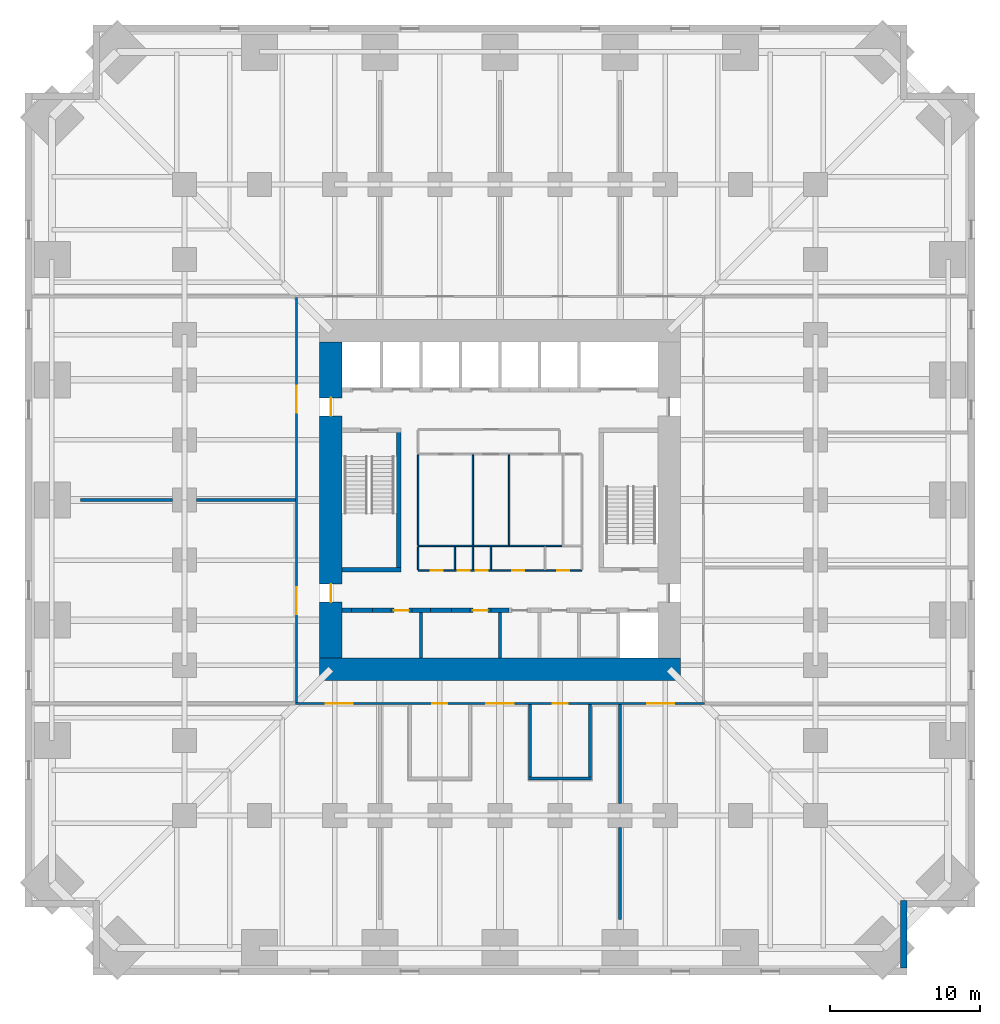
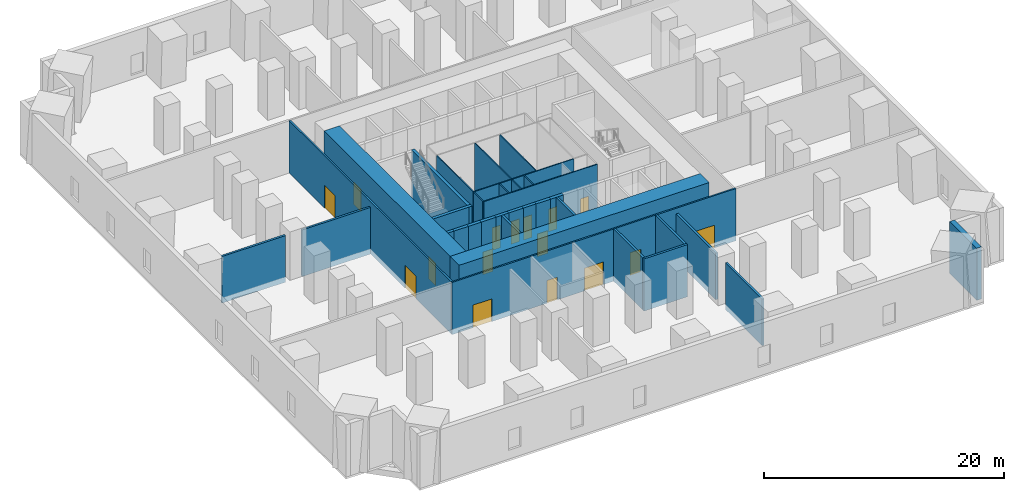
# One storey, part 4 of 8: 34 walls, 16 doors, 16 openings.
"""IFC4 building model written with IfcOpenShell, lengths in metres."""

from ifc_helpers import new_model, si_unit, direction, frame, frame_2d, origin, place, context, subcontext, project, spatial, rectangle, extrude, material, layer, layer_set, type_object, element, fill, save


model = new_model("IFC4")

# Units and contexts
model_context = context("Model", 3, precision=1e-05, world=origin(), true_north=direction((0.0, 1.0)))
body_context = subcontext(model_context, "Body", "Model", "MODEL_VIEW")
ifc_project = project(units=[si_unit("LENGTHUNIT", "METRE"), si_unit("AREAUNIT", "SQUARE_METRE"), si_unit("VOLUMEUNIT", "CUBIC_METRE"), si_unit("PLANEANGLEUNIT", "RADIAN"), si_unit("MASSUNIT", "GRAM", prefix="KILO")], contexts=[model_context])

# Site, building, storey
site_placement = place(None, origin())
site = spatial("IfcSite", under=ifc_project, at=site_placement, CompositionType="ELEMENT")
building_placement = place(site_placement, origin())
building = spatial("IfcBuilding", under=site, at=building_placement, Name="Peilmerk Tower", CompositionType="ELEMENT")
storey_placement = place(building_placement, frame((0.0, 0.0, 26.5)))
storey = spatial("IfcBuildingStorey", under=building, at=storey_placement, Name="L05", CompositionType="ELEMENT", Elevation=26.5)

# Wall
ifc_material_1 = material(Name="Precast concrete C45/55, board-marked finish", Category="concrete")
ifc_layer_1 = layer(ifc_material_1, 0.449951171875)
ifc_layer_set_1 = layer_set([ifc_layer_1], Name="Precast concrete C45/55, board-marked finish")
wall_type_1 = type_object("IfcWallType", Name="EW1 450 precast concrete facade wall, board-marked", PredefinedType="SOLIDWALL", material=ifc_layer_set_1)
wall_1_placement = place(storey_placement, frame((26.875, -26.64990234375, 0.0), z_axis=(0.0, 0.0, 1.0), x_axis=(0.0, -1.0, 0.0)))
element("IfcWall", 1, at=wall_1_placement, inside=storey, type_object=wall_type_1, Name="Facade wall SEA L05", PredefinedType="SOLIDWALL", context=body_context, shape_type="SweptSolid", body=[
    extrude(rectangle(XDim=4.5, YDim=0.449951171875, at=frame_2d((2.25, 0.0))), origin(), (0.0, 0.0, 1.0), 5.300048828125),
])

# Wall, openings, doors
ifc_material_2 = material(Name="Calcium silicate block", Category="masonry")
ifc_layer_2 = layer(ifc_material_2, 0.14990234375)
ifc_layer_set_2 = layer_set([ifc_layer_2], Name="Calcium silicate block")
wall_type_2 = type_object("IfcWallType", Name="IW1 150 corridor partition, EI 60", PredefinedType="PARTITIONING", material=ifc_layer_set_2)
wall_2_placement = place(storey_placement, frame((13.625, -13.550048828125, 0.0), z_axis=(0.0, 0.0, 1.0), x_axis=(-1.0, 0.0, 0.0)))
wall_2 = element("IfcWall", 2, at=wall_2_placement, inside=storey, type_object=wall_type_2, Name="Corridor wall S L05", PredefinedType="PARTITIONING", context=body_context, shape_type="SweptSolid", body=[
    extrude(rectangle(XDim=27.25, YDim=0.14990234375, at=frame_2d((13.625, 0.0))), origin(), (0.0, 0.0, 1.0), 5.300048828125),
])
opening_1_placement = place(wall_2_placement, frame((23.425048828125, 0.0, 0.0)))
opening_1 = element("IfcOpeningElement", 3, at=opening_1_placement, cuts=wall_2, Name="Opening D2", PredefinedType="OPENING", context=body_context, shape_type="SweptSolid", body=[
    extrude(rectangle(XDim=1.800048828125, YDim=2.300048828125, at=frame_2d((0.89990234375, 1.14990234375))), frame((0.0, 0.0849609375, 0.0), z_axis=(0.0, -1.0, 0.0), x_axis=(1.0, 0.0, 0.0)), (0.0, 0.0, 1.0), 0.169921875),
])
opening_2_placement = place(wall_2_placement, frame((12.72509765625, 0.0, 0.0)))
opening_2 = element("IfcOpeningElement", 4, at=opening_2_placement, cuts=wall_2, Name="Opening D2", PredefinedType="OPENING", context=body_context, shape_type="SweptSolid", body=[
    extrude(rectangle(XDim=1.800048828125, YDim=2.300048828125, at=frame_2d((0.89990234375, 1.14990234375))), frame((0.0, 0.0849609375, 0.0), z_axis=(0.0, -1.0, 0.0), x_axis=(1.0, 0.0, 0.0)), (0.0, 0.0, 1.0), 0.169921875),
])
opening_3_placement = place(wall_2_placement, frame((2.02490234375, 0.0, 0.0)))
opening_3 = element("IfcOpeningElement", 5, at=opening_3_placement, cuts=wall_2, Name="Opening D2", PredefinedType="OPENING", context=body_context, shape_type="SweptSolid", body=[
    extrude(rectangle(XDim=1.800048828125, YDim=2.300048828125, at=frame_2d((0.89990234375, 1.14990234375))), frame((0.0, 0.0849609375, 0.0), z_axis=(0.0, -1.0, 0.0), x_axis=(1.0, 0.0, 0.0)), (0.0, 0.0, 1.0), 0.169921875),
])
opening_4_placement = place(wall_2_placement, frame((17.125, 0.0, 0.0)))
opening_4 = element("IfcOpeningElement", 6, at=opening_4_placement, cuts=wall_2, Name="Opening D1", PredefinedType="OPENING", context=body_context, shape_type="SweptSolid", body=[
    extrude(rectangle(XDim=1.0, YDim=2.300048828125, at=frame_2d((0.5, 1.14990234375))), frame((0.0, 0.0849609375, 0.0), z_axis=(0.0, -1.0, 0.0), x_axis=(1.0, 0.0, 0.0)), (0.0, 0.0, 1.0), 0.169921875),
])
opening_5_placement = place(wall_2_placement, frame((9.125, 0.0, 0.0)))
opening_5 = element("IfcOpeningElement", 7, at=opening_5_placement, cuts=wall_2, Name="Opening D1", PredefinedType="OPENING", context=body_context, shape_type="SweptSolid", body=[
    extrude(rectangle(XDim=1.0, YDim=2.300048828125, at=frame_2d((0.5, 1.14990234375))), frame((0.0, 0.0849609375, 0.0), z_axis=(0.0, -1.0, 0.0), x_axis=(1.0, 0.0, 0.0)), (0.0, 0.0, 1.0), 0.169921875),
])
ifc_material_3 = material(Name="Timber door in steel frame", Category="steel")
door_type_1 = type_object("IfcDoorType", Name="D1 1000x2300 room door, EI2 30", OperationType="SINGLE_SWING_LEFT", PredefinedType="DOOR", material=ifc_material_3)
door_1_placement = place(opening_4_placement, origin())
door_1 = element("IfcDoor", 8, at=door_1_placement, inside=storey, type_object=door_type_1, Name="Door Operations office L05", OperationType="SINGLE_SWING_LEFT", OverallHeight=2.300048828125, OverallWidth=1.0, PredefinedType="DOOR", context=body_context, shape_type="SweptSolid", body=[
    extrude(rectangle(XDim=1.0, YDim=2.300048828125, at=frame_2d((0.5, 1.14990234375))), frame((0.0, 0.02490234375, 0.0), z_axis=(0.0, -1.0, 0.0), x_axis=(1.0, 0.0, 0.0)), (0.0, 0.0, 1.0), 0.050048828125),
])
fill(opening_4, door_1)
door_2_placement = place(opening_5_placement, origin())
door_2 = element("IfcDoor", 9, at=door_2_placement, inside=storey, type_object=door_type_1, Name="Door Security control room L05", OperationType="SINGLE_SWING_LEFT", OverallHeight=2.300048828125, OverallWidth=1.0, PredefinedType="DOOR", context=body_context, shape_type="SweptSolid", body=[
    extrude(rectangle(XDim=1.0, YDim=2.300048828125, at=frame_2d((0.5, 1.14990234375))), frame((0.0, 0.02490234375, 0.0), z_axis=(0.0, -1.0, 0.0), x_axis=(1.0, 0.0, 0.0)), (0.0, 0.0, 1.0), 0.050048828125),
])
fill(opening_5, door_2)
ifc_material_4 = material(Name="Steel door in steel frame", Category="steel")
door_type_2 = type_object("IfcDoorType", Name="D2 1800x2300 double door, EI2 60", OperationType="DOUBLE_DOOR_DOUBLE_SWING", PredefinedType="DOOR", material=ifc_material_4)
door_3_placement = place(opening_1_placement, origin())
door_3 = element("IfcDoor", 10, at=door_3_placement, inside=storey, type_object=door_type_2, Name="Door Computer room B1 L05", OperationType="DOUBLE_DOOR_DOUBLE_SWING", OverallHeight=2.300048828125, OverallWidth=1.800048828125, PredefinedType="DOOR", context=body_context, shape_type="SweptSolid", body=[
    extrude(rectangle(XDim=1.800048828125, YDim=2.300048828125, at=frame_2d((0.89990234375, 1.14990234375))), frame((0.0, 0.02490234375, 0.0), z_axis=(0.0, -1.0, 0.0), x_axis=(1.0, 0.0, 0.0)), (0.0, 0.0, 1.0), 0.050048828125),
])
fill(opening_1, door_3)
door_4_placement = place(opening_2_placement, origin())
door_4 = element("IfcDoor", 11, at=door_4_placement, inside=storey, type_object=door_type_2, Name="Door Network room L05", OperationType="DOUBLE_DOOR_DOUBLE_SWING", OverallHeight=2.300048828125, OverallWidth=1.800048828125, PredefinedType="DOOR", context=body_context, shape_type="SweptSolid", body=[
    extrude(rectangle(XDim=1.800048828125, YDim=2.300048828125, at=frame_2d((0.89990234375, 1.14990234375))), frame((0.0, 0.02490234375, 0.0), z_axis=(0.0, -1.0, 0.0), x_axis=(1.0, 0.0, 0.0)), (0.0, 0.0, 1.0), 0.050048828125),
])
fill(opening_2, door_4)
door_5_placement = place(opening_3_placement, origin())
door_5 = element("IfcDoor", 12, at=door_5_placement, inside=storey, type_object=door_type_2, Name="Door Computer room B2 L05", OperationType="DOUBLE_DOOR_DOUBLE_SWING", OverallHeight=2.300048828125, OverallWidth=1.800048828125, PredefinedType="DOOR", context=body_context, shape_type="SweptSolid", body=[
    extrude(rectangle(XDim=1.800048828125, YDim=2.300048828125, at=frame_2d((0.89990234375, 1.14990234375))), frame((0.0, 0.02490234375, 0.0), z_axis=(0.0, -1.0, 0.0), x_axis=(1.0, 0.0, 0.0)), (0.0, 0.0, 1.0), 0.050048828125),
])
fill(opening_3, door_5)

wall_3_placement = place(storey_placement, frame((-13.550048828125, 13.47509765625, 0.0), z_axis=(0.0, 0.0, 1.0), x_axis=(0.0, -1.0, 0.0)))
wall_3 = element("IfcWall", 13, at=wall_3_placement, inside=storey, type_object=wall_type_2, Name="Corridor wall W L05", PredefinedType="PARTITIONING", context=body_context, shape_type="SweptSolid", body=[
    extrude(rectangle(XDim=26.9501953125, YDim=0.14990234375, at=frame_2d((13.47509765625, 0.0))), origin(), (0.0, 0.0, 1.0), 5.300048828125),
])
opening_6_placement = place(wall_3_placement, frame((19.27490234375, 0.0, 0.0)))
opening_6 = element("IfcOpeningElement", 14, at=opening_6_placement, cuts=wall_3, Name="Opening D2", PredefinedType="OPENING", context=body_context, shape_type="SweptSolid", body=[
    extrude(rectangle(XDim=1.800048828125, YDim=2.300048828125, at=frame_2d((0.89990234375, 1.14990234375))), frame((0.0, 0.0849609375, 0.0), z_axis=(0.0, -1.0, 0.0), x_axis=(1.0, 0.0, 0.0)), (0.0, 0.0, 1.0), 0.169921875),
])
opening_7_placement = place(wall_3_placement, frame((5.875, 0.0, 0.0)))
opening_7 = element("IfcOpeningElement", 15, at=opening_7_placement, cuts=wall_3, Name="Opening D2", PredefinedType="OPENING", context=body_context, shape_type="SweptSolid", body=[
    extrude(rectangle(XDim=1.800048828125, YDim=2.300048828125, at=frame_2d((0.89990234375, 1.14990234375))), frame((0.0, 0.0849609375, 0.0), z_axis=(0.0, -1.0, 0.0), x_axis=(1.0, 0.0, 0.0)), (0.0, 0.0, 1.0), 0.169921875),
])
door_6_placement = place(opening_6_placement, frame((1.800048828125, 0.0, 0.0), z_axis=(0.0, 0.0, 1.0), x_axis=(-1.0, 0.0, 0.0)))
door_6 = element("IfcDoor", 16, at=door_6_placement, inside=storey, type_object=door_type_2, Name="Door UPS room L05", OperationType="DOUBLE_DOOR_DOUBLE_SWING", OverallHeight=2.300048828125, OverallWidth=1.800048828125, PredefinedType="DOOR", context=body_context, shape_type="SweptSolid", body=[
    extrude(rectangle(XDim=1.800048828125, YDim=2.300048828125, at=frame_2d((0.89990234375, 1.14990234375))), frame((0.0, 0.02490234375, 0.0), z_axis=(0.0, -1.0, 0.0), x_axis=(1.0, 0.0, 0.0)), (0.0, 0.0, 1.0), 0.050048828125),
])
fill(opening_6, door_6)
door_7_placement = place(opening_7_placement, frame((1.800048828125, 0.0, 0.0), z_axis=(0.0, 0.0, 1.0), x_axis=(-1.0, 0.0, 0.0)))
door_7 = element("IfcDoor", 17, at=door_7_placement, inside=storey, type_object=door_type_2, Name="Door Battery room L05", OperationType="DOUBLE_DOOR_DOUBLE_SWING", OverallHeight=2.300048828125, OverallWidth=1.800048828125, PredefinedType="DOOR", context=body_context, shape_type="SweptSolid", body=[
    extrude(rectangle(XDim=1.800048828125, YDim=2.300048828125, at=frame_2d((0.89990234375, 1.14990234375))), frame((0.0, 0.02490234375, 0.0), z_axis=(0.0, -1.0, 0.0), x_axis=(1.0, 0.0, 0.0)), (0.0, 0.0, 1.0), 0.050048828125),
])
fill(opening_7, door_7)

# Walls
ifc_layer_3 = layer(ifc_material_2, 0.199951171875)
ifc_layer_set_3 = layer_set([ifc_layer_3], Name="Calcium silicate block")
wall_type_3 = type_object("IfcWallType", Name="IW2 200 room separating wall, EI 120", PredefinedType="PARTITIONING", material=ifc_layer_set_3)
wall_4_placement = place(storey_placement, frame((8.0, -13.625, 0.0), z_axis=(0.0, 0.0, 1.0), x_axis=(0.0, -1.0, 0.0)))
element("IfcWall", 18, at=wall_4_placement, inside=storey, type_object=wall_type_3, Name="Room separating wall S2 L05", PredefinedType="PARTITIONING", context=body_context, shape_type="SweptSolid", body=[
    extrude(rectangle(XDim=6.574951171875, YDim=0.199951171875, at=frame_2d((3.28759765625, 0.0))), origin(), (0.0, 0.0, 1.0), 4.73095703125),
])
wall_5_placement = place(storey_placement, frame((8.0, -21.800048828125, 0.0), z_axis=(0.0, 0.0, 1.0), x_axis=(0.0, -1.0, 0.0)))
element("IfcWall", 19, at=wall_5_placement, inside=storey, type_object=wall_type_3, Name="Room separating wall S2b L05", PredefinedType="PARTITIONING", context=body_context, shape_type="SweptSolid", body=[
    extrude(rectangle(XDim=6.109375, YDim=0.199951171875, at=frame_2d((3.0546875, 0.0))), origin(), (0.0, 0.0, 1.0), 4.73095703125),
])
wall_6_placement = place(storey_placement, frame((-13.625, 0.0, 0.0), z_axis=(0.0, 0.0, 1.0), x_axis=(-1.0, 0.0, 0.0)))
element("IfcWall", 20, at=wall_6_placement, inside=storey, type_object=wall_type_3, Name="Room separating wall W1 L05", PredefinedType="PARTITIONING", context=body_context, shape_type="SweptSolid", body=[
    extrude(rectangle(XDim=6.574951171875, YDim=0.199951171875, at=frame_2d((3.28759765625, 0.0))), origin(), (0.0, 0.0, 1.0), 4.73095703125),
])
wall_7_placement = place(storey_placement, frame((-21.800048828125, 0.0, 0.0), z_axis=(0.0, 0.0, 1.0), x_axis=(-1.0, 0.0, 0.0)))
element("IfcWall", 21, at=wall_7_placement, inside=storey, type_object=wall_type_3, Name="Room separating wall W1b L05", PredefinedType="PARTITIONING", context=body_context, shape_type="SweptSolid", body=[
    extrude(rectangle(XDim=6.109375, YDim=0.199951171875, at=frame_2d((3.0546875, 0.0))), origin(), (0.0, 0.0, 1.0), 4.73095703125),
])
wall_8_placement = place(storey_placement, frame((1.89990234375, -18.550048828125, 0.0), z_axis=(0.0, 0.0, 1.0), x_axis=(1.0, 0.0, 0.0)))
element("IfcWall", 22, at=wall_8_placement, inside=storey, type_object=wall_type_3, Name="Room separating wall Security control room L05", PredefinedType="PARTITIONING", context=body_context, shape_type="SweptSolid", body=[
    extrude(rectangle(XDim=4.2001953125, YDim=0.199951171875, at=frame_2d((2.10009765625, 0.0))), origin(), (0.0, 0.0, 1.0), 5.300048828125),
])
for number, where, z_axis, x_axis, name in (
    (23, (2.0, -13.625, 0.0), (0.0, 0.0, 1.0), (0.0, -1.0, 0.0), "Room separating wall Security control room L05"),
    (24, (6.0, -13.625, 0.0), (0.0, 0.0, 1.0), (0.0, -1.0, 0.0), "Room separating wall Security control room L05"),
):
    element("IfcWall", number, at=place(storey_placement, frame(where, z_axis=z_axis, x_axis=x_axis)), inside=storey, type_object=wall_type_3, Name=name, PredefinedType="PARTITIONING", context=body_context, shape_type="SweptSolid", body=[
        extrude(rectangle(XDim=4.824951171875, YDim=0.199951171875, at=frame_2d((2.41259765625, 0.0))), origin(), (0.0, 0.0, 1.0), 5.300048828125),
    ])
ifc_material_5 = material(Name="Concrete C35/45", Category="concrete")
ifc_layer_4 = layer(ifc_material_5, 0.300048828125)
ifc_layer_set_4 = layer_set([ifc_layer_4], Name="Concrete C35/45")
wall_type_4 = type_object("IfcWallType", Name="IW3 300 concrete stair enclosure wall, EI 120", PredefinedType="SOLIDWALL", material=ifc_layer_set_4)
wall_9_placement = place(storey_placement, frame((-6.75, -4.800048828125, 0.0), z_axis=(0.0, 0.0, 1.0), x_axis=(0.0, 1.0, 0.0)))
element("IfcWall", 25, at=wall_9_placement, inside=storey, type_object=wall_type_4, Name="Stair 1 enclosure L05", PredefinedType="SOLIDWALL", context=body_context, shape_type="SweptSolid", body=[
    extrude(rectangle(XDim=9.60009765625, YDim=0.300048828125, at=frame_2d((4.800048828125, 0.0))), origin(), (0.0, 0.0, 1.0), 5.25),
])
wall_10_placement = place(storey_placement, frame((-6.60009765625, -4.64990234375, 0.0), z_axis=(0.0, 0.0, 1.0), x_axis=(-1.0, 0.0, 0.0)))
element("IfcWall", 26, at=wall_10_placement, inside=storey, type_object=wall_type_4, Name="Stair 1 enclosure L05", PredefinedType="SOLIDWALL", context=body_context, shape_type="SweptSolid", body=[
    extrude(rectangle(XDim=3.89990234375, YDim=0.300048828125, at=frame_2d((1.949951171875, 0.0))), origin(), (0.0, 0.0, 1.0), 5.25),
])
ifc_material_6 = material(Name="Plasterboard on steel studs", Category="steel")
ifc_layer_5 = layer(ifc_material_6, 0.10009765625)
ifc_layer_set_5 = layer_set([ifc_layer_5], Name="Plasterboard on steel studs")
wall_type_5 = type_object("IfcWallType", Name="IW4 100 WC partition", PredefinedType="PARTITIONING", material=ifc_layer_set_5)
wall_11_placement = place(storey_placement, frame((4.14990234375, -3.050048828125, 0.0), z_axis=(0.0, 0.0, 1.0), x_axis=(-1.0, 0.0, 0.0)))
element("IfcWall", 27, at=wall_11_placement, inside=storey, type_object=wall_type_5, Name="WC wall L05", PredefinedType="PARTITIONING", context=body_context, shape_type="SweptSolid", body=[
    extrude(rectangle(XDim=9.599853515625, YDim=0.10009765625, at=frame_2d((4.7998046875, 0.0))), origin(), (0.0, 0.0, 1.0), 5.25),
])
for number, where, z_axis, x_axis, name in (
    (28, (-5.449951171875, -3.0, 0.0), (0.0, 0.0, 1.0), (0.0, 1.0, 0.0), "WC wall L05"),
    (29, (-1.800048828125, -3.0, 0.0), (0.0, 0.0, 1.0), (0.0, 1.0, 0.0), "WC wall L05"),
    (30, (0.60009765625, -3.0, 0.0), (0.0, 0.0, 1.0), (0.0, 1.0, 0.0), "WC wall L05"),
):
    element("IfcWall", number, at=place(storey_placement, frame(where, z_axis=z_axis, x_axis=x_axis)), inside=storey, type_object=wall_type_5, Name=name, PredefinedType="PARTITIONING", context=body_context, shape_type="SweptSolid", body=[
        extrude(rectangle(XDim=6.0, YDim=0.10009765625, at=frame_2d((3.0, 0.0))), origin(), (0.0, 0.0, 1.0), 5.25),
    ])

# Wall, openings, doors
ifc_material_7 = material(Name="Calcium silicate board on steel studs", Category="steel")
ifc_layer_6 = layer(ifc_material_7, 0.10009765625)
ifc_layer_set_6 = layer_set([ifc_layer_6], Name="Calcium silicate board on steel studs")
wall_type_6 = type_object("IfcWallType", Name="IW5 100 riser enclosure wall, EI 60", PredefinedType="PARTITIONING", material=ifc_layer_set_6)
wall_12_placement = place(storey_placement, frame((5.449951171875, -4.699951171875, 0.0), z_axis=(0.0, 0.0, 1.0), x_axis=(-1.0, 0.0, 0.0)))
wall_12 = element("IfcWall", 31, at=wall_12_placement, inside=storey, type_object=wall_type_6, Name="Riser wall L05", PredefinedType="PARTITIONING", context=body_context, shape_type="SweptSolid", body=[
    extrude(rectangle(XDim=10.89990234375, YDim=0.10009765625, at=frame_2d((5.449951171875, 0.0))), origin(), (0.0, 0.0, 1.0), 5.25),
])
opening_8_placement = place(wall_12_placement, frame((9.27490234375, 0.0, 0.0)))
opening_8 = element("IfcOpeningElement", 32, at=opening_8_placement, cuts=wall_12, Name="Opening D7", PredefinedType="OPENING", context=body_context, shape_type="SweptSolid", body=[
    extrude(rectangle(XDim=0.800048828125, YDim=2.300048828125, at=frame_2d((0.39990234375, 1.14990234375))), frame((0.0, 0.06005859375, 0.0), z_axis=(0.0, -1.0, 0.0), x_axis=(1.0, 0.0, 0.0)), (0.0, 0.0, 1.0), 0.1201171875),
])
opening_9_placement = place(wall_12_placement, frame((7.449951171875, 0.0, 0.0)))
opening_9 = element("IfcOpeningElement", 33, at=opening_9_placement, cuts=wall_12, Name="Opening D7", PredefinedType="OPENING", context=body_context, shape_type="SweptSolid", body=[
    extrude(rectangle(XDim=0.800048828125, YDim=2.300048828125, at=frame_2d((0.39990234375, 1.14990234375))), frame((0.0, 0.06005859375, 0.0), z_axis=(0.0, -1.0, 0.0), x_axis=(1.0, 0.0, 0.0)), (0.0, 0.0, 1.0), 0.1201171875),
])
opening_10_placement = place(wall_12_placement, frame((6.25, 0.0, 0.0)))
opening_10 = element("IfcOpeningElement", 34, at=opening_10_placement, cuts=wall_12, Name="Opening D7", PredefinedType="OPENING", context=body_context, shape_type="SweptSolid", body=[
    extrude(rectangle(XDim=0.800048828125, YDim=2.300048828125, at=frame_2d((0.39990234375, 1.14990234375))), frame((0.0, 0.06005859375, 0.0), z_axis=(0.0, -1.0, 0.0), x_axis=(1.0, 0.0, 0.0)), (0.0, 0.0, 1.0), 0.1201171875),
])
opening_11_placement = place(wall_12_placement, frame((3.85009765625, 0.0, 0.0)))
opening_11 = element("IfcOpeningElement", 35, at=opening_11_placement, cuts=wall_12, Name="Opening D7", PredefinedType="OPENING", context=body_context, shape_type="SweptSolid", body=[
    extrude(rectangle(XDim=0.800048828125, YDim=2.300048828125, at=frame_2d((0.39990234375, 1.14990234375))), frame((0.0, 0.06005859375, 0.0), z_axis=(0.0, -1.0, 0.0), x_axis=(1.0, 0.0, 0.0)), (0.0, 0.0, 1.0), 0.1201171875),
])
opening_12_placement = place(wall_12_placement, frame((0.824951171875, 0.0, 0.0)))
opening_12 = element("IfcOpeningElement", 36, at=opening_12_placement, cuts=wall_12, Name="Opening D7", PredefinedType="OPENING", context=body_context, shape_type="SweptSolid", body=[
    extrude(rectangle(XDim=0.800048828125, YDim=2.300048828125, at=frame_2d((0.39990234375, 1.14990234375))), frame((0.0, 0.06005859375, 0.0), z_axis=(0.0, -1.0, 0.0), x_axis=(1.0, 0.0, 0.0)), (0.0, 0.0, 1.0), 0.1201171875),
])
door_type_3 = type_object("IfcDoorType", Name="D7 800x2300 riser access door, EI2 60", OperationType="SINGLE_SWING_RIGHT", PredefinedType="DOOR", material=ifc_material_4)
door_8_placement = place(opening_8_placement, frame((0.800048828125, 0.0, 0.0), z_axis=(0.0, 0.0, 1.0), x_axis=(-1.0, 0.0, 0.0)))
door_8 = element("IfcDoor", 37, at=door_8_placement, inside=storey, type_object=door_type_3, Name="Cleaner's cupboard door L05", OperationType="SINGLE_SWING_RIGHT", OverallHeight=2.300048828125, OverallWidth=0.800048828125, PredefinedType="DOOR", context=body_context, shape_type="SweptSolid", body=[
    extrude(rectangle(XDim=0.800048828125, YDim=2.300048828125, at=frame_2d((0.39990234375, 1.14990234375))), frame((0.0, 0.02490234375, 0.0), z_axis=(0.0, -1.0, 0.0), x_axis=(1.0, 0.0, 0.0)), (0.0, 0.0, 1.0), 0.050048828125),
])
fill(opening_8, door_8)
door_9_placement = place(opening_9_placement, frame((0.800048828125, 0.0, 0.0), z_axis=(0.0, 0.0, 1.0), x_axis=(-1.0, 0.0, 0.0)))
door_9 = element("IfcDoor", 38, at=door_9_placement, inside=storey, type_object=door_type_3, Name="Electrical riser door L05", OperationType="SINGLE_SWING_RIGHT", OverallHeight=2.300048828125, OverallWidth=0.800048828125, PredefinedType="DOOR", context=body_context, shape_type="SweptSolid", body=[
    extrude(rectangle(XDim=0.800048828125, YDim=2.300048828125, at=frame_2d((0.39990234375, 1.14990234375))), frame((0.0, 0.02490234375, 0.0), z_axis=(0.0, -1.0, 0.0), x_axis=(1.0, 0.0, 0.0)), (0.0, 0.0, 1.0), 0.050048828125),
])
fill(opening_9, door_9)
door_10_placement = place(opening_10_placement, frame((0.800048828125, 0.0, 0.0), z_axis=(0.0, 0.0, 1.0), x_axis=(-1.0, 0.0, 0.0)))
door_10 = element("IfcDoor", 39, at=door_10_placement, inside=storey, type_object=door_type_3, Name="Data riser door L05", OperationType="SINGLE_SWING_RIGHT", OverallHeight=2.300048828125, OverallWidth=0.800048828125, PredefinedType="DOOR", context=body_context, shape_type="SweptSolid", body=[
    extrude(rectangle(XDim=0.800048828125, YDim=2.300048828125, at=frame_2d((0.39990234375, 1.14990234375))), frame((0.0, 0.02490234375, 0.0), z_axis=(0.0, -1.0, 0.0), x_axis=(1.0, 0.0, 0.0)), (0.0, 0.0, 1.0), 0.050048828125),
])
fill(opening_10, door_10)
door_11_placement = place(opening_11_placement, frame((0.800048828125, 0.0, 0.0), z_axis=(0.0, 0.0, 1.0), x_axis=(-1.0, 0.0, 0.0)))
door_11 = element("IfcDoor", 40, at=door_11_placement, inside=storey, type_object=door_type_3, Name="Comms room door L05", OperationType="SINGLE_SWING_RIGHT", OverallHeight=2.300048828125, OverallWidth=0.800048828125, PredefinedType="DOOR", context=body_context, shape_type="SweptSolid", body=[
    extrude(rectangle(XDim=0.800048828125, YDim=2.300048828125, at=frame_2d((0.39990234375, 1.14990234375))), frame((0.0, 0.02490234375, 0.0), z_axis=(0.0, -1.0, 0.0), x_axis=(1.0, 0.0, 0.0)), (0.0, 0.0, 1.0), 0.050048828125),
])
fill(opening_11, door_11)
door_12_placement = place(opening_12_placement, frame((0.800048828125, 0.0, 0.0), z_axis=(0.0, 0.0, 1.0), x_axis=(-1.0, 0.0, 0.0)))
door_12 = element("IfcDoor", 41, at=door_12_placement, inside=storey, type_object=door_type_3, Name="Water meter room door L05", OperationType="SINGLE_SWING_RIGHT", OverallHeight=2.300048828125, OverallWidth=0.800048828125, PredefinedType="DOOR", context=body_context, shape_type="SweptSolid", body=[
    extrude(rectangle(XDim=0.800048828125, YDim=2.300048828125, at=frame_2d((0.39990234375, 1.14990234375))), frame((0.0, 0.02490234375, 0.0), z_axis=(0.0, -1.0, 0.0), x_axis=(1.0, 0.0, 0.0)), (0.0, 0.0, 1.0), 0.050048828125),
])
fill(opening_12, door_12)

# Walls
for number, where, z_axis, x_axis, name in (
    (42, (-5.449951171875, -3.10009765625, 0.0), (0.0, 0.0, 1.0), (0.0, -1.0, 0.0), "Riser wall L05"),
    (43, (-3.0, -3.10009765625, 0.0), (0.0, 0.0, 1.0), (0.0, -1.0, 0.0), "Riser wall L05"),
    (44, (-1.800048828125, -3.10009765625, 0.0), (0.0, 0.0, 1.0), (0.0, -1.0, 0.0), "Riser wall L05"),
    (45, (-0.60009765625, -3.10009765625, 0.0), (0.0, 0.0, 1.0), (0.0, -1.0, 0.0), "Riser wall L05"),
):
    element("IfcWall", number, at=place(storey_placement, frame(where, z_axis=z_axis, x_axis=x_axis)), inside=storey, type_object=wall_type_6, Name=name, PredefinedType="PARTITIONING", context=body_context, shape_type="SweptSolid", body=[
        extrude(rectangle(XDim=1.5498046875, YDim=0.10009765625, at=frame_2d((0.77490234375, 0.0))), origin(), (0.0, 0.0, 1.0), 5.25),
    ])
ifc_layer_7 = layer(ifc_material_2, 0.199951171875)
ifc_layer_set_7 = layer_set([ifc_layer_7], Name="Calcium silicate block")
wall_type_7 = type_object("IfcWallType", Name="SH1 200 shaft dividing wall, EI 120", PredefinedType="PARTITIONING", material=ifc_layer_set_7)
for number, where, z_axis, x_axis, name in (
    (46, (-5.25, -10.5, 0.0), (0.0, 0.0, 1.0), (0.0, 1.0, 0.0), "Shaft wall S C3 L05"),
    (47, (0.0, -10.5, 0.0), (0.0, 0.0, 1.0), (0.0, 1.0, 0.0), "Shaft wall S C1 L05"),
):
    element("IfcWall", number, at=place(storey_placement, frame(where, z_axis=z_axis, x_axis=x_axis)), inside=storey, type_object=wall_type_7, Name=name, PredefinedType="PARTITIONING", context=body_context, shape_type="SweptSolid", body=[
        extrude(rectangle(XDim=3.0, YDim=0.199951171875, at=frame_2d((1.5, 0.0))), origin(), (0.0, 0.0, 1.0), 5.5),
    ])
ifc_layer_8 = layer(ifc_material_2, 0.300048828125)
ifc_layer_set_8 = layer_set([ifc_layer_8], Name="Calcium silicate block")
wall_type_8 = type_object("IfcWallType", Name="SH2 300 lift landing door panel, EI 120", PredefinedType="PARTITIONING", material=ifc_layer_set_8)
wall_13_placement = place(storey_placement, frame((-9.887451171875, -7.35009765625, 0.0), z_axis=(0.0, 0.0, 1.0), x_axis=(1.0, 0.0, 0.0)))
element("IfcWall", 48, at=wall_13_placement, inside=storey, type_object=wall_type_8, Name="Lift door panel S C4 L05", PredefinedType="PARTITIONING", context=body_context, shape_type="SweptSolid", body=[
    extrude(rectangle(XDim=1.39990234375, YDim=0.300048828125, at=frame_2d((0.699951171875, 0.0))), origin(), (0.0, 0.0, 1.0), 5.5),
])

# Wall, opening, door
wall_14_placement = place(storey_placement, frame((-7.262451171875, -7.35009765625, 0.0), z_axis=(0.0, 0.0, 1.0), x_axis=(1.0, 0.0, 0.0)))
wall_14 = element("IfcWall", 49, at=wall_14_placement, inside=storey, type_object=wall_type_8, Name="Lift door panel S C3 L05", PredefinedType="PARTITIONING", context=body_context, shape_type="SweptSolid", body=[
    extrude(rectangle(XDim=1.39990234375, YDim=0.300048828125, at=frame_2d((0.699951171875, 0.0))), origin(), (0.0, 0.0, 1.0), 5.5),
])
opening_13_placement = place(wall_14_placement, frame((0.199951171875, 0.0, 0.0)))
opening_13 = element("IfcOpeningElement", 50, at=opening_13_placement, cuts=wall_14, Name="Opening D10", PredefinedType="OPENING", context=body_context, shape_type="SweptSolid", body=[
    extrude(rectangle(XDim=1.0, YDim=2.300048828125, at=frame_2d((0.5, 1.14990234375))), frame((0.0, 0.159912109375, 0.0), z_axis=(0.0, -1.0, 0.0), x_axis=(1.0, 0.0, 0.0)), (0.0, 0.0, 1.0), 0.320068359375),
])
door_type_4 = type_object("IfcDoorType", Name="D10 1000x2300 core room door, EI2 60", OperationType="SINGLE_SWING_RIGHT", PredefinedType="DOOR", material=ifc_material_4)
door_13_placement = place(opening_13_placement, frame((1.0, 0.0, 0.0), z_axis=(0.0, 0.0, 1.0), x_axis=(-1.0, 0.0, 0.0)))
door_13 = element("IfcDoor", 51, at=door_13_placement, inside=storey, type_object=door_type_4, Name="Door IT room L05", OperationType="SINGLE_SWING_RIGHT", OverallHeight=2.300048828125, OverallWidth=1.0, PredefinedType="DOOR", context=body_context, shape_type="SweptSolid", body=[
    extrude(rectangle(XDim=1.0, YDim=2.300048828125, at=frame_2d((0.5, 1.14990234375))), frame((0.0, 0.02490234375, 0.0), z_axis=(0.0, -1.0, 0.0), x_axis=(1.0, 0.0, 0.0)), (0.0, 0.0, 1.0), 0.050048828125),
])
fill(opening_13, door_13)

# Wall
wall_15_placement = place(storey_placement, frame((-4.637451171875, -7.35009765625, 0.0), z_axis=(0.0, 0.0, 1.0), x_axis=(1.0, 0.0, 0.0)))
element("IfcWall", 52, at=wall_15_placement, inside=storey, type_object=wall_type_8, Name="Lift door panel S C2 L05", PredefinedType="PARTITIONING", context=body_context, shape_type="SweptSolid", body=[
    extrude(rectangle(XDim=1.39990234375, YDim=0.300048828125, at=frame_2d((0.699951171875, 0.0))), origin(), (0.0, 0.0, 1.0), 5.5),
])

# Wall, opening, door
wall_16_placement = place(storey_placement, frame((-2.012451171875, -7.35009765625, 0.0), z_axis=(0.0, 0.0, 1.0), x_axis=(1.0, 0.0, 0.0)))
wall_16 = element("IfcWall", 53, at=wall_16_placement, inside=storey, type_object=wall_type_8, Name="Lift door panel S C1 L05", PredefinedType="PARTITIONING", context=body_context, shape_type="SweptSolid", body=[
    extrude(rectangle(XDim=1.39990234375, YDim=0.300048828125, at=frame_2d((0.699951171875, 0.0))), origin(), (0.0, 0.0, 1.0), 5.5),
])
opening_14_placement = place(wall_16_placement, frame((0.199951171875, 0.0, 0.0)))
opening_14 = element("IfcOpeningElement", 54, at=opening_14_placement, cuts=wall_16, Name="Opening D10", PredefinedType="OPENING", context=body_context, shape_type="SweptSolid", body=[
    extrude(rectangle(XDim=1.0, YDim=2.300048828125, at=frame_2d((0.5, 1.14990234375))), frame((0.0, 0.159912109375, 0.0), z_axis=(0.0, -1.0, 0.0), x_axis=(1.0, 0.0, 0.0)), (0.0, 0.0, 1.0), 0.320068359375),
])
door_14_placement = place(opening_14_placement, frame((1.0, 0.0, 0.0), z_axis=(0.0, 0.0, 1.0), x_axis=(-1.0, 0.0, 0.0)))
door_14 = element("IfcDoor", 55, at=door_14_placement, inside=storey, type_object=door_type_4, Name="Door Vending room L05", OperationType="SINGLE_SWING_RIGHT", OverallHeight=2.300048828125, OverallWidth=1.0, PredefinedType="DOOR", context=body_context, shape_type="SweptSolid", body=[
    extrude(rectangle(XDim=1.0, YDim=2.300048828125, at=frame_2d((0.5, 1.14990234375))), frame((0.0, 0.02490234375, 0.0), z_axis=(0.0, -1.0, 0.0), x_axis=(1.0, 0.0, 0.0)), (0.0, 0.0, 1.0), 0.050048828125),
])
fill(opening_14, door_14)

# Wall
ifc_material_8 = material(Name="Concrete C55/67", Category="concrete")
ifc_layer_9 = layer(ifc_material_8, 1.5)
ifc_layer_set_9 = layer_set([ifc_layer_9], Name="Concrete C55/67")
wall_type_9 = type_object("IfcWallType", Name="SW1 1500 core wall", PredefinedType="SHEAR", material=ifc_layer_set_9)
wall_17_placement = place(storey_placement, frame((12.0, -11.25, 0.0), z_axis=(0.0, 0.0, 1.0), x_axis=(-1.0, 0.0, 0.0)))
element("IfcWall", 56, at=wall_17_placement, inside=storey, type_object=wall_type_9, Name="Core wall S L05", PredefinedType="SHEAR", context=body_context, shape_type="SweptSolid", body=[
    extrude(rectangle(XDim=24.0, YDim=1.5, at=frame_2d((12.0, 0.0))), origin(), (0.0, 0.0, 1.0), 5.5),
])

# Wall, openings, doors
wall_18_placement = place(storey_placement, frame((-11.25, -10.5, 0.0), z_axis=(0.0, 0.0, 1.0), x_axis=(0.0, 1.0, 0.0)))
wall_18 = element("IfcWall", 57, at=wall_18_placement, inside=storey, type_object=wall_type_9, Name="Core wall W L05", PredefinedType="SHEAR", context=body_context, shape_type="SweptSolid", body=[
    extrude(rectangle(XDim=21.0, YDim=1.5, at=frame_2d((10.5, 0.0))), origin(), (0.0, 0.0, 1.0), 5.5),
])
opening_15_placement = place(wall_18_placement, frame((16.10009765625, 0.0, 0.0)))
opening_15 = element("IfcOpeningElement", 58, at=opening_15_placement, cuts=wall_18, Name="Opening D3", PredefinedType="OPENING", context=body_context, shape_type="SweptSolid", body=[
    extrude(rectangle(XDim=1.199951171875, YDim=2.300048828125, at=frame_2d((0.60009765625, 1.14990234375))), frame((0.0, 0.760009765625, 0.0), z_axis=(0.0, -1.0, 0.0), x_axis=(1.0, 0.0, 0.0)), (0.0, 0.0, 1.0), 1.52001953125),
])
opening_16_placement = place(wall_18_placement, frame((3.699951171875, 0.0, 0.0)))
opening_16 = element("IfcOpeningElement", 59, at=opening_16_placement, cuts=wall_18, Name="Opening D3", PredefinedType="OPENING", context=body_context, shape_type="SweptSolid", body=[
    extrude(rectangle(XDim=1.199951171875, YDim=2.300048828125, at=frame_2d((0.60009765625, 1.14990234375))), frame((0.0, 0.760009765625, 0.0), z_axis=(0.0, -1.0, 0.0), x_axis=(1.0, 0.0, 0.0)), (0.0, 0.0, 1.0), 1.52001953125),
])
door_type_5 = type_object("IfcDoorType", Name="D3 1200x2300 core door, EI2 60", OperationType="SINGLE_SWING_LEFT", PredefinedType="DOOR", material=ifc_material_4)
door_15_placement = place(opening_15_placement, frame((1.199951171875, 0.0, 0.0), z_axis=(0.0, 0.0, 1.0), x_axis=(-1.0, 0.0, 0.0)))
door_15 = element("IfcDoor", 60, at=door_15_placement, inside=storey, type_object=door_type_5, Name="Core door L05", OperationType="SINGLE_SWING_LEFT", OverallHeight=2.300048828125, OverallWidth=1.199951171875, PredefinedType="DOOR", context=body_context, shape_type="SweptSolid", body=[
    extrude(rectangle(XDim=1.199951171875, YDim=2.300048828125, at=frame_2d((0.60009765625, 1.14990234375))), frame((0.0, 0.02490234375, 0.0), z_axis=(0.0, -1.0, 0.0), x_axis=(1.0, 0.0, 0.0)), (0.0, 0.0, 1.0), 0.050048828125),
])
fill(opening_15, door_15)
door_16_placement = place(opening_16_placement, frame((1.199951171875, 0.0, 0.0), z_axis=(0.0, 0.0, 1.0), x_axis=(-1.0, 0.0, 0.0)))
door_16 = element("IfcDoor", 61, at=door_16_placement, inside=storey, type_object=door_type_5, Name="Core door L05", OperationType="SINGLE_SWING_LEFT", OverallHeight=2.300048828125, OverallWidth=1.199951171875, PredefinedType="DOOR", context=body_context, shape_type="SweptSolid", body=[
    extrude(rectangle(XDim=1.199951171875, YDim=2.300048828125, at=frame_2d((0.60009765625, 1.14990234375))), frame((0.0, 0.02490234375, 0.0), z_axis=(0.0, -1.0, 0.0), x_axis=(1.0, 0.0, 0.0)), (0.0, 0.0, 1.0), 0.050048828125),
])
fill(opening_16, door_16)

# Walls
ifc_layer_10 = layer(ifc_material_8, 0.300048828125)
ifc_layer_set_10 = layer_set([ifc_layer_10], Name="Concrete C55/67")
wall_type_10 = type_object("IfcWallType", Name="SW2 300 lift bank pier", PredefinedType="SHEAR", material=ifc_layer_set_10)
wall_19_placement = place(storey_placement, frame((-10.5, -7.35009765625, 0.0), z_axis=(0.0, 0.0, 1.0), x_axis=(1.0, 0.0, 0.0)))
element("IfcWall", 62, at=wall_19_placement, inside=storey, type_object=wall_type_10, Name="Lift bank pier S L05", PredefinedType="SHEAR", context=body_context, shape_type="SweptSolid", body=[
    extrude(rectangle(XDim=0.612548828125, YDim=0.300048828125, at=frame_2d((0.30615234375, 0.0))), origin(), (0.0, 0.0, 1.0), 5.5),
])
for number, where, z_axis, x_axis, name in (
    (63, (-8.487548828125, -7.35009765625, 0.0), (0.0, 0.0, 1.0), (1.0, 0.0, 0.0), "Lift bank pier S L05"),
    (64, (-5.862548828125, -7.35009765625, 0.0), (0.0, 0.0, 1.0), (1.0, 0.0, 0.0), "Lift bank pier S L05"),
    (65, (-3.237548828125, -7.35009765625, 0.0), (0.0, 0.0, 1.0), (1.0, 0.0, 0.0), "Lift bank pier S L05"),
    (66, (-0.612548828125, -7.35009765625, 0.0), (0.0, 0.0, 1.0), (1.0, 0.0, 0.0), "Lift bank pier S L05"),
):
    element("IfcWall", number, at=place(storey_placement, frame(where, z_axis=z_axis, x_axis=x_axis)), inside=storey, type_object=wall_type_10, Name=name, PredefinedType="SHEAR", context=body_context, shape_type="SweptSolid", body=[
        extrude(rectangle(XDim=1.22509765625, YDim=0.300048828125, at=frame_2d((0.612548828125, 0.0))), origin(), (0.0, 0.0, 1.0), 5.5),
    ])

save(model, "model.ifc")
